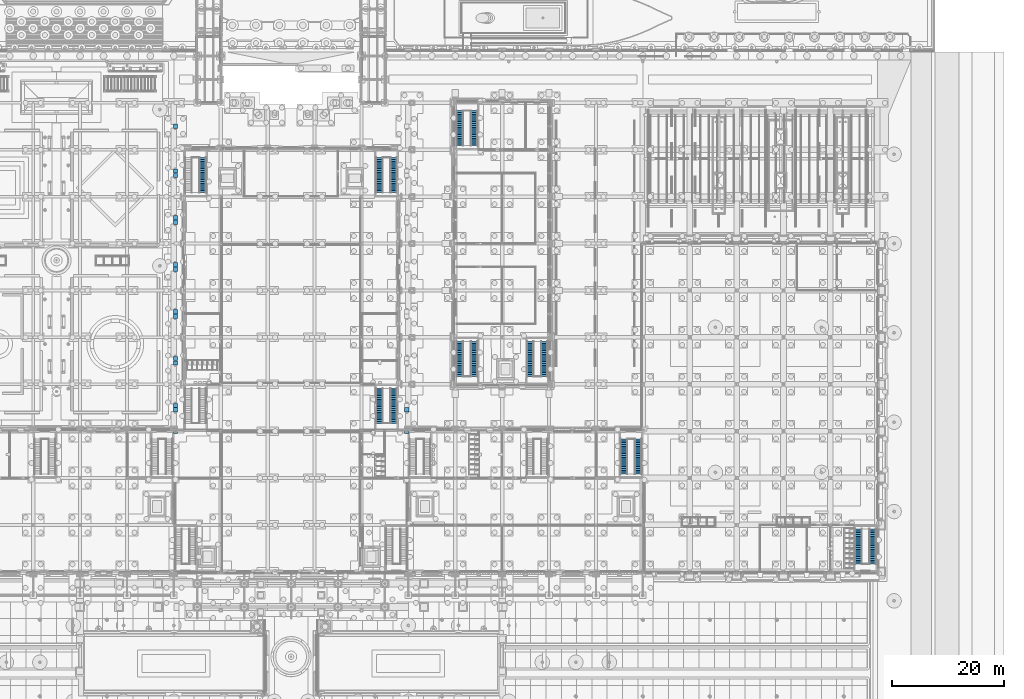
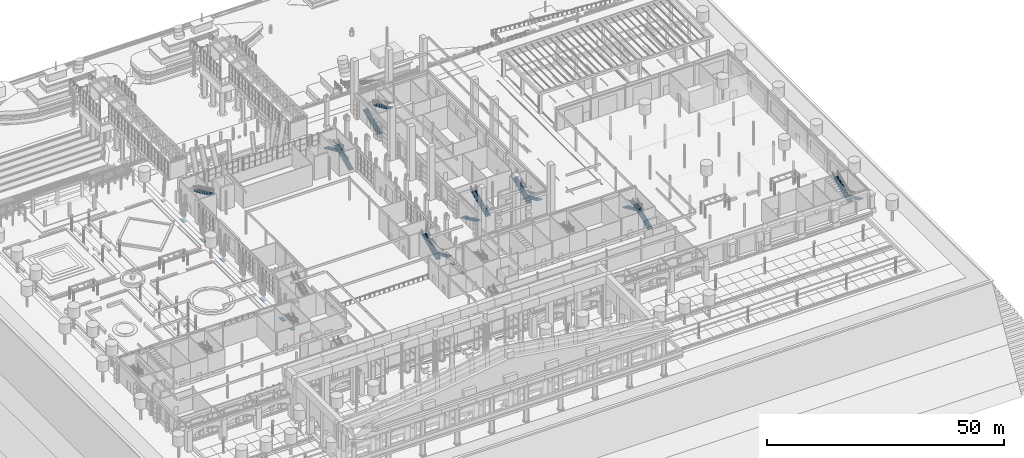
# One storey, part 104 of 222: 16 discrete accessories, 15 stair flights, 8 elements without a shape of their own.
"""IFC4 building model written with IfcOpenShell, lengths in metres."""

from ifc_helpers import new_model, si_unit, direction, frame, origin, origin_2d, place, context, subcontext, project, spatial, polyline, rectangle, outline, extrude, material, layer, layer_set, type_object, element, aggregate, save


model = new_model("IFC4")

# Units and contexts
model_context = context("Model", 3, precision=1e-05, world=origin(), true_north=direction((0.0, 1.0)))
body_context = subcontext(model_context, "Body", "Model", "MODEL_VIEW")
ifc_project = project(units=[si_unit("LENGTHUNIT", "METRE"), si_unit("AREAUNIT", "SQUARE_METRE"), si_unit("VOLUMEUNIT", "CUBIC_METRE"), si_unit("PLANEANGLEUNIT", "RADIAN"), si_unit("MASSUNIT", "GRAM", prefix="KILO")], contexts=[model_context])

# Site, building, storey
site_placement = place(None, origin())
site = spatial("IfcSite", under=ifc_project, at=site_placement, CompositionType="ELEMENT")
building_placement = place(site_placement, origin())
building = spatial("IfcBuilding", under=site, at=building_placement, Name="Sava Quay Ferry Terminal", CompositionType="ELEMENT")
storey_placement = place(building_placement, origin())
storey = spatial("IfcBuildingStorey", under=building, at=storey_placement, Name="L00", CompositionType="ELEMENT", Elevation=0.0)

# Stair, stair flights
ifc_material_1 = material(Name="Concrete C30/37", Category="concrete")
stair_type = type_object("IfcStairType", Name="Stair 1200 half landing", PredefinedType="HALF_TURN_STAIR", material=ifc_material_1)
stair_1_placement = place(storey_placement, origin())
stair_1 = element("IfcStair", 1, at=stair_1_placement, inside=storey, type_object=stair_type, Name="Stair ST-D2 L00", PredefinedType="HALF_TURN_STAIR")
ifc_material_2 = material(Name="Concrete C30/37", Category="concrete")
stair_flight_type = type_object("IfcStairFlightType", Name="Stair flight 1200", PredefinedType="STRAIGHT", material=ifc_material_2)
stair_flight_1_placement = place(storey_placement, frame((81.39990234375, 58.070068359375, 0.0), z_axis=(0.0, 0.0, 1.0), x_axis=(0.0, -1.0, 0.0)))
stair_flight_1 = element("IfcStairFlight", 2, at=stair_flight_1_placement, type_object=stair_flight_type, Name="ST-D2 flight 1", NumberOfRisers=20, NumberOfTreads=19, PredefinedType="STRAIGHT", RiserHeight=0.15, TreadLength=0.33, context=body_context, shape_type="SweptSolid", body=[
    extrude(outline(polyline([(0.0, 0.0), (0.0, 0.14990234375), (0.330078125, 0.14990234375), (0.330078125, 0.300048828125), (0.659912109375, 0.300048828125), (0.659912109375, 0.449951171875), (0.989990234375, 0.449951171875), (0.989990234375, 0.60009765625), (1.320068359375, 0.60009765625), (1.320068359375, 0.75), (1.64990234375, 0.75), (1.64990234375, 0.89990234375), (1.97998046875, 0.89990234375), (1.97998046875, 1.050048828125), (2.31005859375, 1.050048828125), (2.31005859375, 1.199951171875), (2.639892578125, 1.199951171875), (2.639892578125, 1.35009765625), (2.969970703125, 1.35009765625), (2.969970703125, 1.5), (3.300048828125, 1.5), (3.300048828125, 1.64990234375), (3.6298828125, 1.64990234375), (3.6298828125, 1.800048828125), (3.9599609375, 1.800048828125), (3.9599609375, 1.949951171875), (4.2900390625, 1.949951171875), (4.2900390625, 2.10009765625), (4.6201171875, 2.10009765625), (4.6201171875, 2.25), (4.949951171875, 2.25), (4.949951171875, 2.39990234375), (5.280029296875, 2.39990234375), (5.280029296875, 2.550048828125), (5.610107421875, 2.550048828125), (5.610107421875, 2.699951171875), (5.93994140625, 2.699951171875), (5.93994140625, 2.85009765625), (6.27001953125, 2.85009765625), (6.27001953125, 3.0), (6.27001953125, 2.685302734375), (0.3623046875, 0.0), (0.0, 0.0)])), frame((0.0, 0.60009765625, 0.0), z_axis=(0.0, -1.0, 0.0), x_axis=(1.0, 0.0, 0.0)), (0.0, 0.0, 1.0), 1.199951171875),
])
stair_flight_2_placement = place(storey_placement, frame((78.800048828125, 51.800048828125, 3.0), z_axis=(0.0, 0.0, 1.0), x_axis=(0.0, 1.0, 0.0)))
stair_flight_2 = element("IfcStairFlight", 3, at=stair_flight_2_placement, type_object=stair_flight_type, Name="ST-D2 flight 2", NumberOfRisers=20, NumberOfTreads=19, PredefinedType="STRAIGHT", RiserHeight=0.15, TreadLength=0.33, context=body_context, shape_type="SweptSolid", body=[
    extrude(outline(polyline([(0.0, 0.0), (0.0, 0.14990234375), (0.330078125, 0.14990234375), (0.330078125, 0.300048828125), (0.659912109375, 0.300048828125), (0.659912109375, 0.449951171875), (0.989990234375, 0.449951171875), (0.989990234375, 0.60009765625), (1.320068359375, 0.60009765625), (1.320068359375, 0.75), (1.64990234375, 0.75), (1.64990234375, 0.89990234375), (1.97998046875, 0.89990234375), (1.97998046875, 1.050048828125), (2.31005859375, 1.050048828125), (2.31005859375, 1.199951171875), (2.639892578125, 1.199951171875), (2.639892578125, 1.35009765625), (2.969970703125, 1.35009765625), (2.969970703125, 1.5), (3.300048828125, 1.5), (3.300048828125, 1.64990234375), (3.6298828125, 1.64990234375), (3.6298828125, 1.800048828125), (3.9599609375, 1.800048828125), (3.9599609375, 1.949951171875), (4.2900390625, 1.949951171875), (4.2900390625, 2.10009765625), (4.6201171875, 2.10009765625), (4.6201171875, 2.25), (4.949951171875, 2.25), (4.949951171875, 2.39990234375), (5.280029296875, 2.39990234375), (5.280029296875, 2.550048828125), (5.610107421875, 2.550048828125), (5.610107421875, 2.699951171875), (5.93994140625, 2.699951171875), (5.93994140625, 2.85009765625), (6.27001953125, 2.85009765625), (6.27001953125, 3.0), (6.27001953125, 2.685302734375), (0.3623046875, 0.0), (0.0, 0.0)])), frame((0.0, 0.60009765625, 0.0), z_axis=(0.0, -1.0, 0.0), x_axis=(1.0, 0.0, 0.0)), (0.0, 0.0, 1.0), 1.199951171875),
])
aggregate(stair_1, [stair_flight_1, stair_flight_2])

# Stair, stair flight
stair_2_placement = place(storey_placement, origin())
stair_2 = element("IfcStair", 4, at=stair_2_placement, inside=storey, type_object=stair_type, Name="Stair ST-D5 L00", PredefinedType="HALF_TURN_STAIR")
stair_flight_3_placement = place(storey_placement, frame((47.199951171875, 99.39990234375, 3.0), z_axis=(0.0, 0.0, 1.0), x_axis=(0.0, -1.0, 0.0)))
stair_flight_3 = element("IfcStairFlight", 5, at=stair_flight_3_placement, type_object=stair_flight_type, Name="ST-D5 flight 2", NumberOfRisers=20, NumberOfTreads=19, PredefinedType="STRAIGHT", RiserHeight=0.15, TreadLength=0.33, context=body_context, shape_type="SweptSolid", body=[
    extrude(outline(polyline([(0.0, 0.0), (0.0, 0.14990234375), (0.330078125, 0.14990234375), (0.330078125, 0.300048828125), (0.659912109375, 0.300048828125), (0.659912109375, 0.449951171875), (0.989990234375, 0.449951171875), (0.989990234375, 0.60009765625), (1.320068359375, 0.60009765625), (1.320068359375, 0.75), (1.64990234375, 0.75), (1.64990234375, 0.89990234375), (1.97998046875, 0.89990234375), (1.97998046875, 1.050048828125), (2.31005859375, 1.050048828125), (2.31005859375, 1.199951171875), (2.639892578125, 1.199951171875), (2.639892578125, 1.35009765625), (2.969970703125, 1.35009765625), (2.969970703125, 1.5), (3.300048828125, 1.5), (3.300048828125, 1.64990234375), (3.6298828125, 1.64990234375), (3.6298828125, 1.800048828125), (3.9599609375, 1.800048828125), (3.9599609375, 1.949951171875), (4.2900390625, 1.949951171875), (4.2900390625, 2.10009765625), (4.6201171875, 2.10009765625), (4.6201171875, 2.25), (4.949951171875, 2.25), (4.949951171875, 2.39990234375), (5.280029296875, 2.39990234375), (5.280029296875, 2.550048828125), (5.610107421875, 2.550048828125), (5.610107421875, 2.699951171875), (5.93994140625, 2.699951171875), (5.93994140625, 2.85009765625), (6.27001953125, 2.85009765625), (6.27001953125, 3.0), (6.27001953125, 2.685302734375), (0.3623046875, 0.0), (0.0, 0.0)])), frame((0.0, 0.60009765625, 0.0), z_axis=(0.0, -1.0, 0.0), x_axis=(1.0, 0.0, 0.0)), (0.0, 0.0, 1.0), 1.199951171875),
])
aggregate(stair_2, [stair_flight_3])

# Stair, stair flights
stair_3_placement = place(storey_placement, origin())
stair_3 = element("IfcStair", 6, at=stair_3_placement, inside=storey, type_object=stair_type, Name="Stair ST-D6 L00", PredefinedType="HALF_TURN_STAIR")
stair_flight_4_placement = place(storey_placement, frame((81.39990234375, 93.1298828125, 0.0), z_axis=(0.0, 0.0, 1.0), x_axis=(0.0, 1.0, 0.0)))
stair_flight_4 = element("IfcStairFlight", 7, at=stair_flight_4_placement, type_object=stair_flight_type, Name="ST-D6 flight 1", NumberOfRisers=20, NumberOfTreads=19, PredefinedType="STRAIGHT", RiserHeight=0.15, TreadLength=0.33, context=body_context, shape_type="SweptSolid", body=[
    extrude(outline(polyline([(0.0, 0.0), (0.0, 0.14990234375), (0.330078125, 0.14990234375), (0.330078125, 0.300048828125), (0.659912109375, 0.300048828125), (0.659912109375, 0.449951171875), (0.989990234375, 0.449951171875), (0.989990234375, 0.60009765625), (1.320068359375, 0.60009765625), (1.320068359375, 0.75), (1.64990234375, 0.75), (1.64990234375, 0.89990234375), (1.97998046875, 0.89990234375), (1.97998046875, 1.050048828125), (2.31005859375, 1.050048828125), (2.31005859375, 1.199951171875), (2.639892578125, 1.199951171875), (2.639892578125, 1.35009765625), (2.969970703125, 1.35009765625), (2.969970703125, 1.5), (3.300048828125, 1.5), (3.300048828125, 1.64990234375), (3.6298828125, 1.64990234375), (3.6298828125, 1.800048828125), (3.9599609375, 1.800048828125), (3.9599609375, 1.949951171875), (4.2900390625, 1.949951171875), (4.2900390625, 2.10009765625), (4.6201171875, 2.10009765625), (4.6201171875, 2.25), (4.949951171875, 2.25), (4.949951171875, 2.39990234375), (5.280029296875, 2.39990234375), (5.280029296875, 2.550048828125), (5.610107421875, 2.550048828125), (5.610107421875, 2.699951171875), (5.93994140625, 2.699951171875), (5.93994140625, 2.85009765625), (6.27001953125, 2.85009765625), (6.27001953125, 3.0), (6.27001953125, 2.685302734375), (0.3623046875, 0.0), (0.0, 0.0)])), frame((0.0, 0.60009765625, 0.0), z_axis=(0.0, -1.0, 0.0), x_axis=(1.0, 0.0, 0.0)), (0.0, 0.0, 1.0), 1.199951171875),
])
stair_flight_5_placement = place(storey_placement, frame((78.800048828125, 99.39990234375, 3.0), z_axis=(0.0, 0.0, 1.0), x_axis=(0.0, -1.0, 0.0)))
stair_flight_5 = element("IfcStairFlight", 8, at=stair_flight_5_placement, type_object=stair_flight_type, Name="ST-D6 flight 2", NumberOfRisers=20, NumberOfTreads=19, PredefinedType="STRAIGHT", RiserHeight=0.15, TreadLength=0.33, context=body_context, shape_type="SweptSolid", body=[
    extrude(outline(polyline([(0.0, 0.0), (0.0, 0.14990234375), (0.330078125, 0.14990234375), (0.330078125, 0.300048828125), (0.659912109375, 0.300048828125), (0.659912109375, 0.449951171875), (0.989990234375, 0.449951171875), (0.989990234375, 0.60009765625), (1.320068359375, 0.60009765625), (1.320068359375, 0.75), (1.64990234375, 0.75), (1.64990234375, 0.89990234375), (1.97998046875, 0.89990234375), (1.97998046875, 1.050048828125), (2.31005859375, 1.050048828125), (2.31005859375, 1.199951171875), (2.639892578125, 1.199951171875), (2.639892578125, 1.35009765625), (2.969970703125, 1.35009765625), (2.969970703125, 1.5), (3.300048828125, 1.5), (3.300048828125, 1.64990234375), (3.6298828125, 1.64990234375), (3.6298828125, 1.800048828125), (3.9599609375, 1.800048828125), (3.9599609375, 1.949951171875), (4.2900390625, 1.949951171875), (4.2900390625, 2.10009765625), (4.6201171875, 2.10009765625), (4.6201171875, 2.25), (4.949951171875, 2.25), (4.949951171875, 2.39990234375), (5.280029296875, 2.39990234375), (5.280029296875, 2.550048828125), (5.610107421875, 2.550048828125), (5.610107421875, 2.699951171875), (5.93994140625, 2.699951171875), (5.93994140625, 2.85009765625), (6.27001953125, 2.85009765625), (6.27001953125, 3.0), (6.27001953125, 2.685302734375), (0.3623046875, 0.0), (0.0, 0.0)])), frame((0.0, 0.60009765625, 0.0), z_axis=(0.0, -1.0, 0.0), x_axis=(1.0, 0.0, 0.0)), (0.0, 0.0, 1.0), 1.199951171875),
])
aggregate(stair_3, [stair_flight_4, stair_flight_5])

stair_4_placement = place(storey_placement, origin())
stair_4 = element("IfcStair", 9, at=stair_4_placement, inside=storey, type_object=stair_type, Name="Stair ST-P2 L00", PredefinedType="HALF_TURN_STAIR")
stair_flight_6_placement = place(storey_placement, frame((125.199951171875, 42.72998046875, 0.0), z_axis=(0.0, 0.0, 1.0), x_axis=(0.0, 1.0, 0.0)))
stair_flight_6 = element("IfcStairFlight", 10, at=stair_flight_6_placement, type_object=stair_flight_type, Name="ST-P2 flight 1", NumberOfRisers=20, NumberOfTreads=19, PredefinedType="STRAIGHT", RiserHeight=0.15, TreadLength=0.33, context=body_context, shape_type="SweptSolid", body=[
    extrude(outline(polyline([(0.0, 0.0), (0.0, 0.14990234375), (0.330078125, 0.14990234375), (0.330078125, 0.300048828125), (0.659912109375, 0.300048828125), (0.659912109375, 0.449951171875), (0.989990234375, 0.449951171875), (0.989990234375, 0.60009765625), (1.320068359375, 0.60009765625), (1.320068359375, 0.75), (1.64990234375, 0.75), (1.64990234375, 0.89990234375), (1.97998046875, 0.89990234375), (1.97998046875, 1.050048828125), (2.31005859375, 1.050048828125), (2.31005859375, 1.199951171875), (2.639892578125, 1.199951171875), (2.639892578125, 1.35009765625), (2.969970703125, 1.35009765625), (2.969970703125, 1.5), (3.300048828125, 1.5), (3.300048828125, 1.64990234375), (3.6298828125, 1.64990234375), (3.6298828125, 1.800048828125), (3.9599609375, 1.800048828125), (3.9599609375, 1.949951171875), (4.2900390625, 1.949951171875), (4.2900390625, 2.10009765625), (4.6201171875, 2.10009765625), (4.6201171875, 2.25), (4.949951171875, 2.25), (4.949951171875, 2.39990234375), (5.280029296875, 2.39990234375), (5.280029296875, 2.550048828125), (5.610107421875, 2.550048828125), (5.610107421875, 2.699951171875), (5.93994140625, 2.699951171875), (5.93994140625, 2.85009765625), (6.27001953125, 2.85009765625), (6.27001953125, 3.0), (6.27001953125, 2.685302734375), (0.3623046875, 0.0), (0.0, 0.0)])), frame((0.0, 0.60009765625, 0.0), z_axis=(0.0, -1.0, 0.0), x_axis=(1.0, 0.0, 0.0)), (0.0, 0.0, 1.0), 1.199951171875),
])
stair_flight_7_placement = place(storey_placement, frame((122.60009765625, 49.0, 3.0), z_axis=(0.0, 0.0, 1.0), x_axis=(0.0, -1.0, 0.0)))
stair_flight_7 = element("IfcStairFlight", 11, at=stair_flight_7_placement, type_object=stair_flight_type, Name="ST-P2 flight 2", NumberOfRisers=20, NumberOfTreads=19, PredefinedType="STRAIGHT", RiserHeight=0.15, TreadLength=0.33, context=body_context, shape_type="SweptSolid", body=[
    extrude(outline(polyline([(0.0, 0.0), (0.0, 0.14990234375), (0.330078125, 0.14990234375), (0.330078125, 0.300048828125), (0.659912109375, 0.300048828125), (0.659912109375, 0.449951171875), (0.989990234375, 0.449951171875), (0.989990234375, 0.60009765625), (1.320068359375, 0.60009765625), (1.320068359375, 0.75), (1.64990234375, 0.75), (1.64990234375, 0.89990234375), (1.97998046875, 0.89990234375), (1.97998046875, 1.050048828125), (2.31005859375, 1.050048828125), (2.31005859375, 1.199951171875), (2.639892578125, 1.199951171875), (2.639892578125, 1.35009765625), (2.969970703125, 1.35009765625), (2.969970703125, 1.5), (3.300048828125, 1.5), (3.300048828125, 1.64990234375), (3.6298828125, 1.64990234375), (3.6298828125, 1.800048828125), (3.9599609375, 1.800048828125), (3.9599609375, 1.949951171875), (4.2900390625, 1.949951171875), (4.2900390625, 2.10009765625), (4.6201171875, 2.10009765625), (4.6201171875, 2.25), (4.949951171875, 2.25), (4.949951171875, 2.39990234375), (5.280029296875, 2.39990234375), (5.280029296875, 2.550048828125), (5.610107421875, 2.550048828125), (5.610107421875, 2.699951171875), (5.93994140625, 2.699951171875), (5.93994140625, 2.85009765625), (6.27001953125, 2.85009765625), (6.27001953125, 3.0), (6.27001953125, 2.685302734375), (0.3623046875, 0.0), (0.0, 0.0)])), frame((0.0, 0.60009765625, 0.0), z_axis=(0.0, -1.0, 0.0), x_axis=(1.0, 0.0, 0.0)), (0.0, 0.0, 1.0), 1.199951171875),
])
aggregate(stair_4, [stair_flight_6, stair_flight_7])

stair_5_placement = place(storey_placement, origin())
stair_5 = element("IfcStair", 12, at=stair_5_placement, inside=storey, type_object=stair_type, Name="Stair ST-O1 L00", PredefinedType="HALF_TURN_STAIR")
stair_flight_8_placement = place(storey_placement, frame((93.199951171875, 66.469970703125, 0.0), z_axis=(0.0, 0.0, 1.0), x_axis=(0.0, -1.0, 0.0)))
stair_flight_8 = element("IfcStairFlight", 13, at=stair_flight_8_placement, type_object=stair_flight_type, Name="ST-O1 flight 1", NumberOfRisers=20, NumberOfTreads=19, PredefinedType="STRAIGHT", RiserHeight=0.15, TreadLength=0.33, context=body_context, shape_type="SweptSolid", body=[
    extrude(outline(polyline([(0.0, 0.0), (0.0, 0.14990234375), (0.330078125, 0.14990234375), (0.330078125, 0.300048828125), (0.659912109375, 0.300048828125), (0.659912109375, 0.449951171875), (0.989990234375, 0.449951171875), (0.989990234375, 0.60009765625), (1.320068359375, 0.60009765625), (1.320068359375, 0.75), (1.64990234375, 0.75), (1.64990234375, 0.89990234375), (1.97998046875, 0.89990234375), (1.97998046875, 1.050048828125), (2.31005859375, 1.050048828125), (2.31005859375, 1.199951171875), (2.639892578125, 1.199951171875), (2.639892578125, 1.35009765625), (2.969970703125, 1.35009765625), (2.969970703125, 1.5), (3.300048828125, 1.5), (3.300048828125, 1.64990234375), (3.6298828125, 1.64990234375), (3.6298828125, 1.800048828125), (3.9599609375, 1.800048828125), (3.9599609375, 1.949951171875), (4.2900390625, 1.949951171875), (4.2900390625, 2.10009765625), (4.6201171875, 2.10009765625), (4.6201171875, 2.25), (4.949951171875, 2.25), (4.949951171875, 2.39990234375), (5.280029296875, 2.39990234375), (5.280029296875, 2.550048828125), (5.610107421875, 2.550048828125), (5.610107421875, 2.699951171875), (5.93994140625, 2.699951171875), (5.93994140625, 2.85009765625), (6.27001953125, 2.85009765625), (6.27001953125, 3.0), (6.27001953125, 2.685302734375), (0.3623046875, 0.0), (0.0, 0.0)])), frame((0.0, 0.60009765625, 0.0), z_axis=(0.0, -1.0, 0.0), x_axis=(1.0, 0.0, 0.0)), (0.0, 0.0, 1.0), 1.199951171875),
])
stair_flight_9_placement = place(storey_placement, frame((95.800048828125, 60.199951171875, 3.0), z_axis=(0.0, 0.0, 1.0), x_axis=(0.0, 1.0, 0.0)))
stair_flight_9 = element("IfcStairFlight", 14, at=stair_flight_9_placement, type_object=stair_flight_type, Name="ST-O1 flight 2", NumberOfRisers=20, NumberOfTreads=19, PredefinedType="STRAIGHT", RiserHeight=0.15, TreadLength=0.33, context=body_context, shape_type="SweptSolid", body=[
    extrude(outline(polyline([(0.0, 0.0), (0.0, 0.14990234375), (0.330078125, 0.14990234375), (0.330078125, 0.300048828125), (0.659912109375, 0.300048828125), (0.659912109375, 0.449951171875), (0.989990234375, 0.449951171875), (0.989990234375, 0.60009765625), (1.320068359375, 0.60009765625), (1.320068359375, 0.75), (1.64990234375, 0.75), (1.64990234375, 0.89990234375), (1.97998046875, 0.89990234375), (1.97998046875, 1.050048828125), (2.31005859375, 1.050048828125), (2.31005859375, 1.199951171875), (2.639892578125, 1.199951171875), (2.639892578125, 1.35009765625), (2.969970703125, 1.35009765625), (2.969970703125, 1.5), (3.300048828125, 1.5), (3.300048828125, 1.64990234375), (3.6298828125, 1.64990234375), (3.6298828125, 1.800048828125), (3.9599609375, 1.800048828125), (3.9599609375, 1.949951171875), (4.2900390625, 1.949951171875), (4.2900390625, 2.10009765625), (4.6201171875, 2.10009765625), (4.6201171875, 2.25), (4.949951171875, 2.25), (4.949951171875, 2.39990234375), (5.280029296875, 2.39990234375), (5.280029296875, 2.550048828125), (5.610107421875, 2.550048828125), (5.610107421875, 2.699951171875), (5.93994140625, 2.699951171875), (5.93994140625, 2.85009765625), (6.27001953125, 2.85009765625), (6.27001953125, 3.0), (6.27001953125, 2.685302734375), (0.3623046875, 0.0), (0.0, 0.0)])), frame((0.0, 0.60009765625, 0.0), z_axis=(0.0, -1.0, 0.0), x_axis=(1.0, 0.0, 0.0)), (0.0, 0.0, 1.0), 1.199951171875),
])
aggregate(stair_5, [stair_flight_8, stair_flight_9])

stair_6_placement = place(storey_placement, origin())
stair_6 = element("IfcStair", 15, at=stair_6_placement, inside=storey, type_object=stair_type, Name="Stair ST-O2 L00", PredefinedType="HALF_TURN_STAIR")
stair_flight_10_placement = place(storey_placement, frame((108.39990234375, 66.469970703125, 0.0), z_axis=(0.0, 0.0, 1.0), x_axis=(0.0, -1.0, 0.0)))
stair_flight_10 = element("IfcStairFlight", 16, at=stair_flight_10_placement, type_object=stair_flight_type, Name="ST-O2 flight 1", NumberOfRisers=20, NumberOfTreads=19, PredefinedType="STRAIGHT", RiserHeight=0.15, TreadLength=0.33, context=body_context, shape_type="SweptSolid", body=[
    extrude(outline(polyline([(0.0, 0.0), (0.0, 0.14990234375), (0.330078125, 0.14990234375), (0.330078125, 0.300048828125), (0.659912109375, 0.300048828125), (0.659912109375, 0.449951171875), (0.989990234375, 0.449951171875), (0.989990234375, 0.60009765625), (1.320068359375, 0.60009765625), (1.320068359375, 0.75), (1.64990234375, 0.75), (1.64990234375, 0.89990234375), (1.97998046875, 0.89990234375), (1.97998046875, 1.050048828125), (2.31005859375, 1.050048828125), (2.31005859375, 1.199951171875), (2.639892578125, 1.199951171875), (2.639892578125, 1.35009765625), (2.969970703125, 1.35009765625), (2.969970703125, 1.5), (3.300048828125, 1.5), (3.300048828125, 1.64990234375), (3.6298828125, 1.64990234375), (3.6298828125, 1.800048828125), (3.9599609375, 1.800048828125), (3.9599609375, 1.949951171875), (4.2900390625, 1.949951171875), (4.2900390625, 2.10009765625), (4.6201171875, 2.10009765625), (4.6201171875, 2.25), (4.949951171875, 2.25), (4.949951171875, 2.39990234375), (5.280029296875, 2.39990234375), (5.280029296875, 2.550048828125), (5.610107421875, 2.550048828125), (5.610107421875, 2.699951171875), (5.93994140625, 2.699951171875), (5.93994140625, 2.85009765625), (6.27001953125, 2.85009765625), (6.27001953125, 3.0), (6.27001953125, 2.685302734375), (0.3623046875, 0.0), (0.0, 0.0)])), frame((0.0, 0.60009765625, 0.0), z_axis=(0.0, -1.0, 0.0), x_axis=(1.0, 0.0, 0.0)), (0.0, 0.0, 1.0), 1.199951171875),
])
stair_flight_11_placement = place(storey_placement, frame((105.800048828125, 60.199951171875, 3.0), z_axis=(0.0, 0.0, 1.0), x_axis=(0.0, 1.0, 0.0)))
stair_flight_11 = element("IfcStairFlight", 17, at=stair_flight_11_placement, type_object=stair_flight_type, Name="ST-O2 flight 2", NumberOfRisers=20, NumberOfTreads=19, PredefinedType="STRAIGHT", RiserHeight=0.15, TreadLength=0.33, context=body_context, shape_type="SweptSolid", body=[
    extrude(outline(polyline([(0.0, 0.0), (0.0, 0.14990234375), (0.330078125, 0.14990234375), (0.330078125, 0.300048828125), (0.659912109375, 0.300048828125), (0.659912109375, 0.449951171875), (0.989990234375, 0.449951171875), (0.989990234375, 0.60009765625), (1.320068359375, 0.60009765625), (1.320068359375, 0.75), (1.64990234375, 0.75), (1.64990234375, 0.89990234375), (1.97998046875, 0.89990234375), (1.97998046875, 1.050048828125), (2.31005859375, 1.050048828125), (2.31005859375, 1.199951171875), (2.639892578125, 1.199951171875), (2.639892578125, 1.35009765625), (2.969970703125, 1.35009765625), (2.969970703125, 1.5), (3.300048828125, 1.5), (3.300048828125, 1.64990234375), (3.6298828125, 1.64990234375), (3.6298828125, 1.800048828125), (3.9599609375, 1.800048828125), (3.9599609375, 1.949951171875), (4.2900390625, 1.949951171875), (4.2900390625, 2.10009765625), (4.6201171875, 2.10009765625), (4.6201171875, 2.25), (4.949951171875, 2.25), (4.949951171875, 2.39990234375), (5.280029296875, 2.39990234375), (5.280029296875, 2.550048828125), (5.610107421875, 2.550048828125), (5.610107421875, 2.699951171875), (5.93994140625, 2.699951171875), (5.93994140625, 2.85009765625), (6.27001953125, 2.85009765625), (6.27001953125, 3.0), (6.27001953125, 2.685302734375), (0.3623046875, 0.0), (0.0, 0.0)])), frame((0.0, 0.60009765625, 0.0), z_axis=(0.0, -1.0, 0.0), x_axis=(1.0, 0.0, 0.0)), (0.0, 0.0, 1.0), 1.199951171875),
])
aggregate(stair_6, [stair_flight_10, stair_flight_11])

stair_7_placement = place(storey_placement, origin())
stair_7 = element("IfcStair", 18, at=stair_7_placement, inside=storey, type_object=stair_type, Name="Stair ST-O3 L00", PredefinedType="HALF_TURN_STAIR")
stair_flight_12_placement = place(storey_placement, frame((93.199951171875, 101.530029296875, 0.0), z_axis=(0.0, 0.0, 1.0), x_axis=(0.0, 1.0, 0.0)))
stair_flight_12 = element("IfcStairFlight", 19, at=stair_flight_12_placement, type_object=stair_flight_type, Name="ST-O3 flight 1", NumberOfRisers=20, NumberOfTreads=19, PredefinedType="STRAIGHT", RiserHeight=0.15, TreadLength=0.33, context=body_context, shape_type="SweptSolid", body=[
    extrude(outline(polyline([(0.0, 0.0), (0.0, 0.14990234375), (0.330078125, 0.14990234375), (0.330078125, 0.300048828125), (0.659912109375, 0.300048828125), (0.659912109375, 0.449951171875), (0.989990234375, 0.449951171875), (0.989990234375, 0.60009765625), (1.320068359375, 0.60009765625), (1.320068359375, 0.75), (1.64990234375, 0.75), (1.64990234375, 0.89990234375), (1.97998046875, 0.89990234375), (1.97998046875, 1.050048828125), (2.31005859375, 1.050048828125), (2.31005859375, 1.199951171875), (2.639892578125, 1.199951171875), (2.639892578125, 1.35009765625), (2.969970703125, 1.35009765625), (2.969970703125, 1.5), (3.300048828125, 1.5), (3.300048828125, 1.64990234375), (3.6298828125, 1.64990234375), (3.6298828125, 1.800048828125), (3.9599609375, 1.800048828125), (3.9599609375, 1.949951171875), (4.2900390625, 1.949951171875), (4.2900390625, 2.10009765625), (4.6201171875, 2.10009765625), (4.6201171875, 2.25), (4.949951171875, 2.25), (4.949951171875, 2.39990234375), (5.280029296875, 2.39990234375), (5.280029296875, 2.550048828125), (5.610107421875, 2.550048828125), (5.610107421875, 2.699951171875), (5.93994140625, 2.699951171875), (5.93994140625, 2.85009765625), (6.27001953125, 2.85009765625), (6.27001953125, 3.0), (6.27001953125, 2.685302734375), (0.3623046875, 0.0), (0.0, 0.0)])), frame((0.0, 0.60009765625, 0.0), z_axis=(0.0, -1.0, 0.0), x_axis=(1.0, 0.0, 0.0)), (0.0, 0.0, 1.0), 1.199951171875),
])
stair_flight_13_placement = place(storey_placement, frame((95.800048828125, 107.800048828125, 3.0), z_axis=(0.0, 0.0, 1.0), x_axis=(0.0, -1.0, 0.0)))
stair_flight_13 = element("IfcStairFlight", 20, at=stair_flight_13_placement, type_object=stair_flight_type, Name="ST-O3 flight 2", NumberOfRisers=20, NumberOfTreads=19, PredefinedType="STRAIGHT", RiserHeight=0.15, TreadLength=0.33, context=body_context, shape_type="SweptSolid", body=[
    extrude(outline(polyline([(0.0, 0.0), (0.0, 0.14990234375), (0.330078125, 0.14990234375), (0.330078125, 0.300048828125), (0.659912109375, 0.300048828125), (0.659912109375, 0.449951171875), (0.989990234375, 0.449951171875), (0.989990234375, 0.60009765625), (1.320068359375, 0.60009765625), (1.320068359375, 0.75), (1.64990234375, 0.75), (1.64990234375, 0.89990234375), (1.97998046875, 0.89990234375), (1.97998046875, 1.050048828125), (2.31005859375, 1.050048828125), (2.31005859375, 1.199951171875), (2.639892578125, 1.199951171875), (2.639892578125, 1.35009765625), (2.969970703125, 1.35009765625), (2.969970703125, 1.5), (3.300048828125, 1.5), (3.300048828125, 1.64990234375), (3.6298828125, 1.64990234375), (3.6298828125, 1.800048828125), (3.9599609375, 1.800048828125), (3.9599609375, 1.949951171875), (4.2900390625, 1.949951171875), (4.2900390625, 2.10009765625), (4.6201171875, 2.10009765625), (4.6201171875, 2.25), (4.949951171875, 2.25), (4.949951171875, 2.39990234375), (5.280029296875, 2.39990234375), (5.280029296875, 2.550048828125), (5.610107421875, 2.550048828125), (5.610107421875, 2.699951171875), (5.93994140625, 2.699951171875), (5.93994140625, 2.85009765625), (6.27001953125, 2.85009765625), (6.27001953125, 3.0), (6.27001953125, 2.685302734375), (0.3623046875, 0.0), (0.0, 0.0)])), frame((0.0, 0.60009765625, 0.0), z_axis=(0.0, -1.0, 0.0), x_axis=(1.0, 0.0, 0.0)), (0.0, 0.0, 1.0), 1.199951171875),
])
aggregate(stair_7, [stair_flight_12, stair_flight_13])

stair_8_placement = place(storey_placement, origin())
stair_8 = element("IfcStair", 21, at=stair_8_placement, inside=storey, type_object=stair_type, Name="Stair ST-V1 L00", PredefinedType="HALF_TURN_STAIR")
stair_flight_14_placement = place(storey_placement, frame((167.199951171875, 32.8701171875, 0.0), z_axis=(0.0, 0.0, 1.0), x_axis=(0.0, -1.0, 0.0)))
stair_flight_14 = element("IfcStairFlight", 22, at=stair_flight_14_placement, type_object=stair_flight_type, Name="ST-V1 flight 1", NumberOfRisers=20, NumberOfTreads=19, PredefinedType="STRAIGHT", RiserHeight=0.15, TreadLength=0.33, context=body_context, shape_type="SweptSolid", body=[
    extrude(outline(polyline([(0.0, 0.0), (0.0, 0.14990234375), (0.330078125, 0.14990234375), (0.330078125, 0.300048828125), (0.659912109375, 0.300048828125), (0.659912109375, 0.449951171875), (0.989990234375, 0.449951171875), (0.989990234375, 0.60009765625), (1.320068359375, 0.60009765625), (1.320068359375, 0.75), (1.64990234375, 0.75), (1.64990234375, 0.89990234375), (1.97998046875, 0.89990234375), (1.97998046875, 1.050048828125), (2.31005859375, 1.050048828125), (2.31005859375, 1.199951171875), (2.639892578125, 1.199951171875), (2.639892578125, 1.35009765625), (2.969970703125, 1.35009765625), (2.969970703125, 1.5), (3.300048828125, 1.5), (3.300048828125, 1.64990234375), (3.6298828125, 1.64990234375), (3.6298828125, 1.800048828125), (3.9599609375, 1.800048828125), (3.9599609375, 1.949951171875), (4.2900390625, 1.949951171875), (4.2900390625, 2.10009765625), (4.6201171875, 2.10009765625), (4.6201171875, 2.25), (4.949951171875, 2.25), (4.949951171875, 2.39990234375), (5.280029296875, 2.39990234375), (5.280029296875, 2.550048828125), (5.610107421875, 2.550048828125), (5.610107421875, 2.699951171875), (5.93994140625, 2.699951171875), (5.93994140625, 2.85009765625), (6.27001953125, 2.85009765625), (6.27001953125, 3.0), (6.27001953125, 2.685302734375), (0.3623046875, 0.0), (0.0, 0.0)])), frame((0.0, 0.60009765625, 0.0), z_axis=(0.0, -1.0, 0.0), x_axis=(1.0, 0.0, 0.0)), (0.0, 0.0, 1.0), 1.199951171875),
])
stair_flight_15_placement = place(storey_placement, frame((164.60009765625, 26.60009765625, 3.0), z_axis=(0.0, 0.0, 1.0), x_axis=(0.0, 1.0, 0.0)))
stair_flight_15 = element("IfcStairFlight", 23, at=stair_flight_15_placement, type_object=stair_flight_type, Name="ST-V1 flight 2", NumberOfRisers=20, NumberOfTreads=19, PredefinedType="STRAIGHT", RiserHeight=0.15, TreadLength=0.33, context=body_context, shape_type="SweptSolid", body=[
    extrude(outline(polyline([(0.0, 0.0), (0.0, 0.14990234375), (0.330078125, 0.14990234375), (0.330078125, 0.300048828125), (0.659912109375, 0.300048828125), (0.659912109375, 0.449951171875), (0.989990234375, 0.449951171875), (0.989990234375, 0.60009765625), (1.320068359375, 0.60009765625), (1.320068359375, 0.75), (1.64990234375, 0.75), (1.64990234375, 0.89990234375), (1.97998046875, 0.89990234375), (1.97998046875, 1.050048828125), (2.31005859375, 1.050048828125), (2.31005859375, 1.199951171875), (2.639892578125, 1.199951171875), (2.639892578125, 1.35009765625), (2.969970703125, 1.35009765625), (2.969970703125, 1.5), (3.300048828125, 1.5), (3.300048828125, 1.64990234375), (3.6298828125, 1.64990234375), (3.6298828125, 1.800048828125), (3.9599609375, 1.800048828125), (3.9599609375, 1.949951171875), (4.2900390625, 1.949951171875), (4.2900390625, 2.10009765625), (4.6201171875, 2.10009765625), (4.6201171875, 2.25), (4.949951171875, 2.25), (4.949951171875, 2.39990234375), (5.280029296875, 2.39990234375), (5.280029296875, 2.550048828125), (5.610107421875, 2.550048828125), (5.610107421875, 2.699951171875), (5.93994140625, 2.699951171875), (5.93994140625, 2.85009765625), (6.27001953125, 2.85009765625), (6.27001953125, 3.0), (6.27001953125, 2.685302734375), (0.3623046875, 0.0), (0.0, 0.0)])), frame((0.0, 0.60009765625, 0.0), z_axis=(0.0, -1.0, 0.0), x_axis=(1.0, 0.0, 0.0)), (0.0, 0.0, 1.0), 1.199951171875),
])
aggregate(stair_8, [stair_flight_14, stair_flight_15])

# Discrete accessories
ifc_material_3 = material(Name="Steel S355", Category="steel")
ifc_layer = layer(ifc_material_3, 0.050048828125)
ifc_layer_set = layer_set([ifc_layer], Name="Steel S355")
discrete_accessory_type = type_object("IfcDiscreteAccessoryType", Name="Column base plate 780 x 50", PredefinedType="ANCHORPLATE", material=ifc_layer_set)
for number, where, z_axis, x_axis, name in (
    (24, (42.300048828125, 50.39990234375, -1.3525390625), (0.0, 0.0, 1.0), (1.0, 0.0, 0.0), "Departure hall V column D-VL0a base plate"),
    (25, (42.300048828125, 54.199951171875, -1.3525390625), (0.0, 0.0, 1.0), (1.0, 0.0, 0.0), "Departure hall V column D-VL0b base plate"),
    (26, (42.300048828125, 55.0, -1.3525390625), (0.0, 0.0, 1.0), (1.0, 0.0, 0.0), "Departure hall V column D-VL1a base plate"),
    (27, (42.300048828125, 62.60009765625, -1.3525390625), (0.0, 0.0, 1.0), (1.0, 0.0, 0.0), "Departure hall V column D-VL1b base plate"),
    (28, (42.300048828125, 63.39990234375, -1.3525390625), (0.0, 0.0, 1.0), (1.0, 0.0, 0.0), "Departure hall V column D-VL2a base plate"),
    (29, (42.300048828125, 71.0, -1.3525390625), (0.0, 0.0, 1.0), (1.0, 0.0, 0.0), "Departure hall V column D-VL2b base plate"),
    (30, (42.300048828125, 71.800048828125, -1.3525390625), (0.0, 0.0, 1.0), (1.0, 0.0, 0.0), "Departure hall V column D-VL3a base plate"),
    (31, (42.300048828125, 79.39990234375, -1.3525390625), (0.0, 0.0, 1.0), (1.0, 0.0, 0.0), "Departure hall V column D-VL3b base plate"),
    (32, (42.300048828125, 80.199951171875, -1.3525390625), (0.0, 0.0, 1.0), (1.0, 0.0, 0.0), "Departure hall V column D-VL4a base plate"),
    (33, (42.300048828125, 87.800048828125, -1.3525390625), (0.0, 0.0, 1.0), (1.0, 0.0, 0.0), "Departure hall V column D-VL4b base plate"),
    (34, (42.300048828125, 88.60009765625, -1.3525390625), (0.0, 0.0, 1.0), (1.0, 0.0, 0.0), "Departure hall V column D-VL5a base plate"),
    (35, (42.300048828125, 96.199951171875, -1.3525390625), (0.0, 0.0, 1.0), (1.0, 0.0, 0.0), "Departure hall V column D-VL5b base plate"),
    (36, (42.300048828125, 97.0, -1.3525390625), (0.0, 0.0, 1.0), (1.0, 0.0, 0.0), "Departure hall V column D-VL6a base plate"),
    (37, (42.300048828125, 105.0, -1.3525390625), (0.0, 0.0, 1.0), (1.0, 0.0, 0.0), "Departure hall V column D-VL6b base plate"),
    (38, (83.699951171875, 50.39990234375, -1.3525390625), (0.0, 0.0, 1.0), (1.0, 0.0, 0.0), "Departure hall V column D-VR0a base plate"),
    (39, (83.699951171875, 54.199951171875, -1.3525390625), (0.0, 0.0, 1.0), (1.0, 0.0, 0.0), "Departure hall V column D-VR0b base plate"),
):
    element("IfcDiscreteAccessory", number, at=place(storey_placement, frame(where, z_axis=z_axis, x_axis=x_axis)), inside=storey, type_object=discrete_accessory_type, Name=name, PredefinedType="ANCHORPLATE", context=body_context, shape_type="SweptSolid", body=[
        extrude(rectangle(XDim=0.780029296875, YDim=0.780029296875, at=origin_2d()), origin(), (0.0, 0.0, 1.0), 0.050048828125),
    ])

save(model, "model.ifc")
